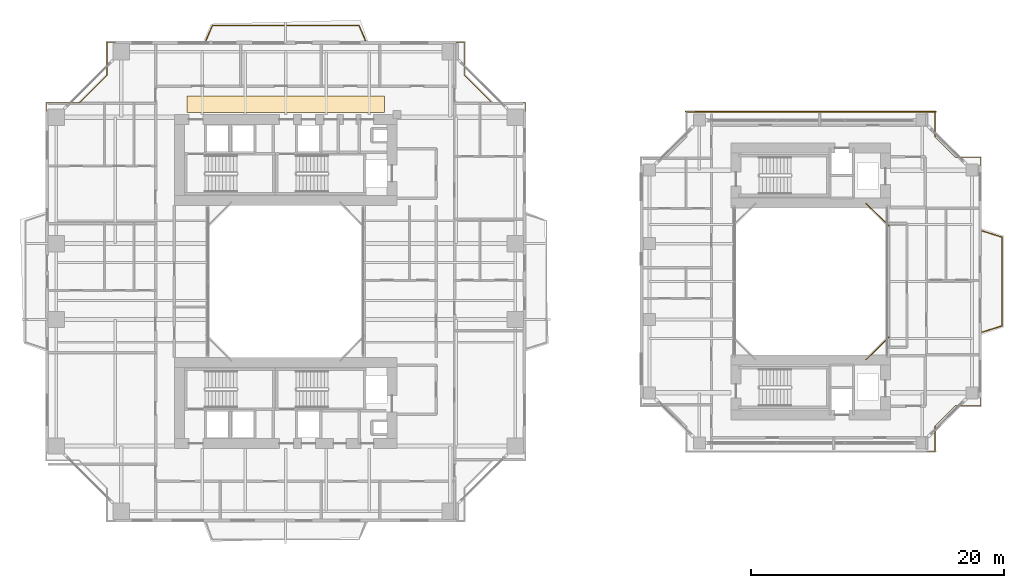
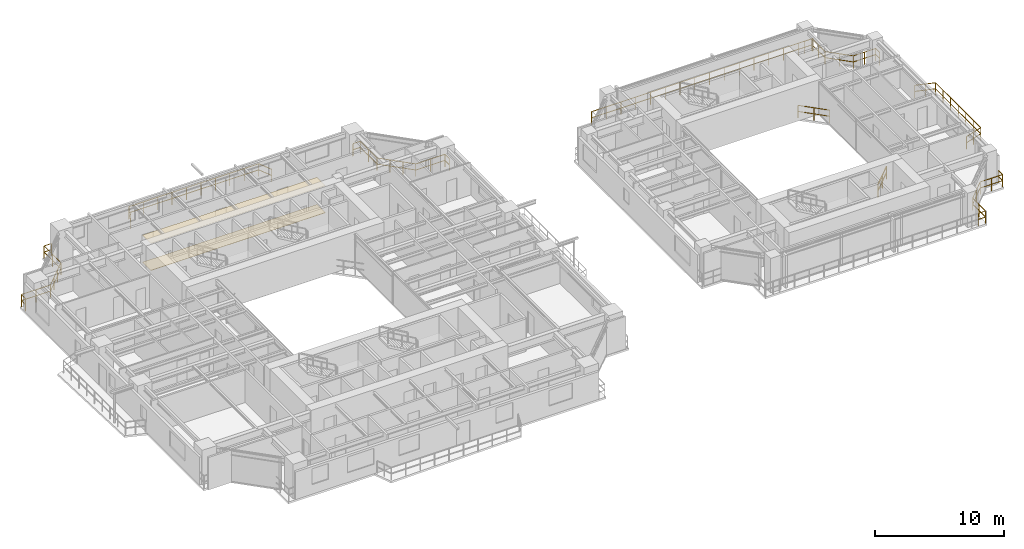
# One storey, part 23 of 23: 9 railings, 2 coverings.
"""IFC4 building model written with IfcOpenShell, lengths in metres."""

import ifcopenshell
import ifcopenshell.guid

model = None  # the IFC model being written
_history = None  # IfcOwnerHistory: only IFC2X3 demands one
_inside = {}  # id of a spatial element -> (the spatial element, [elements in it])
_under = {}  # id of a project, library or spatial element -> (it, [spatial elements below it])
_declared = {}  # id of a project -> (the project, [libraries it declares])
_typed = {}  # id of a type object -> (the type object, [elements of that type])
_made_of = {}  # id of a material, layer set ... -> (it, [elements and type objects made of it])


def new_model(schema):
    """Start an empty IFC model of exactly this schema.

    Asked for "IFC4X3", IfcOpenShell would pick the latest addendum, in which some entities
    have other attributes; the version numbers below select the first issue.
    IFC2X3 requires an IfcOwnerHistory on every rooted entity: one is made here for all.
    """
    global model, _history
    if schema == "IFC4X3":
        model = ifcopenshell.file(schema_version=(4, 3, 0, 0))
    else:
        model = ifcopenshell.file(schema=schema)
    _inside.clear()
    _under.clear()
    _declared.clear()
    _typed.clear()
    _made_of.clear()
    _history = None
    if model.schema == "IFC2X3":
        org = make("IfcOrganization", Name="unknown")
        user = make(
            "IfcPersonAndOrganization",
            ThePerson=make("IfcPerson", FamilyName="unknown"),
            TheOrganization=org,
        )
        app = make(
            "IfcApplication",
            ApplicationDeveloper=org,
            Version="unknown",
            ApplicationFullName="unknown",
            ApplicationIdentifier="unknown",
        )
        _history = make(
            "IfcOwnerHistory",
            OwningUser=user,
            OwningApplication=app,
            ChangeAction="ADDED",
            CreationDate=0,
        )
    return model


def make(cls, **values):
    """One entity of the class cls with the attributes given. An attribute that is None is left unset."""
    return model.create_entity(
        cls, **{name: value for name, value in values.items() if value is not None}
    )


def rooted(cls, **values):
    """An entity with a GlobalId (a new one), such as an element, a storey or a relation."""
    return make(cls, GlobalId=ifcopenshell.guid.new(), OwnerHistory=_history, **values)


def si_unit(unit_type, name, prefix=None):
    """IfcSIUnit, for example si_unit("LENGTHUNIT", "METRE", prefix="MILLI")."""
    return make("IfcSIUnit", UnitType=unit_type, Prefix=prefix, Name=name)


def assignment(units):
    """IfcUnitAssignment: the units of a project."""
    return None if units is None else make("IfcUnitAssignment", Units=units)


def point(xyz):
    """IfcCartesianPoint."""
    return None if xyz is None else make("IfcCartesianPoint", Coordinates=xyz)


def direction(xyz):
    """IfcDirection."""
    return None if xyz is None else make("IfcDirection", DirectionRatios=xyz)


def frame(location, z_axis=None, x_axis=None):
    """IfcAxis2Placement3D, a coordinate frame: its origin and axes. An axis left out is left unset."""
    return make(
        "IfcAxis2Placement3D",
        Location=point(location),
        Axis=direction(z_axis),
        RefDirection=direction(x_axis),
    )


def frame_2d(location, x_axis=None):
    """IfcAxis2Placement2D, a coordinate frame in the plane: its origin and x axis."""
    return make(
        "IfcAxis2Placement2D", Location=point(location), RefDirection=direction(x_axis)
    )


def origin():
    """The frame at (0, 0, 0) with its axes left unset."""
    return frame((0.0, 0.0, 0.0))


def origin_2d():
    """The frame at (0, 0) in the plane with its x axis left unset."""
    return frame_2d((0.0, 0.0))


def place(relative_to, where):
    """IfcLocalPlacement: puts the frame where relative to a parent placement (None: the world)."""
    return make(
        "IfcLocalPlacement", PlacementRelTo=relative_to, RelativePlacement=where
    )


def context(
    kind, dimensions, precision=None, world=None, true_north=None, identifier=None
):
    """IfcGeometricRepresentationContext, for example the 3D "Model" context."""
    return make(
        "IfcGeometricRepresentationContext",
        ContextIdentifier=identifier,
        ContextType=kind,
        CoordinateSpaceDimension=dimensions,
        Precision=precision,
        WorldCoordinateSystem=world,
        TrueNorth=true_north,
    )


def subcontext(parent, identifier, kind, view, scale=None):
    """IfcGeometricRepresentationSubContext, for example "Body" below "Model"."""
    return make(
        "IfcGeometricRepresentationSubContext",
        ContextIdentifier=identifier,
        ContextType=kind,
        ParentContext=parent,
        TargetScale=scale,
        TargetView=view,
    )


def project(units=None, contexts=None):
    """IfcProject with its units and contexts."""
    return rooted(
        "IfcProject",
        Name="project",
        RepresentationContexts=contexts,
        UnitsInContext=assignment(units),
    )


def spatial(cls, under=None, at=None, **own):
    """A site, building, storey or space (cls), placed at a placement, below another one or the project."""
    s = rooted(cls, ObjectPlacement=at, **own)
    if under is not None:
        _under.setdefault(under.id(), (under, []))[1].append(s)
    return s


def polyline(points):
    """IfcPolyline through the points."""
    return make("IfcPolyline", Points=[point(p) for p in points])


def profile(cls, at=None, kind="AREA", **sizes):
    """A parametric profile (cls). Its sizes go by their IFC names, for example OverallWidth=200.0."""
    return make(cls, ProfileType=kind, Position=at, **sizes)


def rectangle(**sizes):
    """IfcRectangleProfileDef."""
    return profile("IfcRectangleProfileDef", **sizes)


def outline(outer, holes=None, kind="AREA"):
    """IfcArbitraryClosedProfileDef: a profile drawn as a closed curve; with holes, ...WithVoids."""
    if holes is None:
        return make("IfcArbitraryClosedProfileDef", ProfileType=kind, OuterCurve=outer)
    return make(
        "IfcArbitraryProfileDefWithVoids",
        ProfileType=kind,
        OuterCurve=outer,
        InnerCurves=holes,
    )


def extrude(swept, where, along, depth):
    """IfcExtrudedAreaSolid: the profile swept, set in the frame where, extruded along a direction by depth."""
    return make(
        "IfcExtrudedAreaSolid",
        SweptArea=swept,
        Position=where,
        ExtrudedDirection=direction(along),
        Depth=depth,
    )


def shape(context_of_items, identifier, shape_type, items):
    """IfcShapeRepresentation: the items that make up one representation, for example the "Body"."""
    return make(
        "IfcShapeRepresentation",
        ContextOfItems=context_of_items,
        RepresentationIdentifier=identifier,
        RepresentationType=shape_type,
        Items=items,
    )


def material(Name=None, Category=None):
    """IfcMaterial."""
    return make("IfcMaterial", Name=Name, Category=Category)


def layer(
    of_material, thickness, ventilated=None, Name=None, Category=None, Priority=None
):
    """IfcMaterialLayer: one layer of a wall or slab, of a material (None: an air gap)."""
    return make(
        "IfcMaterialLayer",
        Material=of_material,
        LayerThickness=thickness,
        IsVentilated=ventilated,
        Name=Name,
        Category=Category,
        Priority=Priority,
    )


def layer_set(layers, Name=None):
    """IfcMaterialLayerSet."""
    return make("IfcMaterialLayerSet", MaterialLayers=layers, LayerSetName=Name)


def made_of(thing, what):
    """Note that an element or type object is made of a material, layer set ...; save() writes the relation."""
    if what is not None:
        _made_of.setdefault(what.id(), (what, []))[1].append(thing)
    return thing


def type_object(cls, material=None, **own):
    """A type object (cls), such as IfcWallType, which elements share."""
    return made_of(rooted(cls, **own), material)


def element(
    cls,
    number,
    at=None,
    inside=None,
    cuts=None,
    type_object=None,
    material=None,
    context=None,
    identifier="Body",
    shape_type=None,
    held_by="IfcProductDefinitionShape",
    body=None,
    shapes=None,
    **own,
):
    """One element of the class cls, such as IfcWall. Its Tag is "e" and its number.

    at: its placement. inside: the storey or other place that contains it. cuts: it is an
    opening in that element (IfcRelVoidsElement). A single representation is given by context,
    identifier, shape_type and body (its items); several are given by shapes. held_by: the class
    of the entity that holds the representations. save() writes the other relations.
    """
    e = rooted(cls, Tag="e%d" % number, ObjectPlacement=at, **own)
    if body is not None:
        shapes = [shape(context, identifier, shape_type, body)]
    if shapes is not None:
        e.Representation = make(held_by, Representations=shapes)
    if inside is not None:
        _inside.setdefault(inside.id(), (inside, []))[1].append(e)
    if cuts is not None:
        rooted(
            "IfcRelVoidsElement", RelatingBuildingElement=cuts, RelatedOpeningElement=e
        )
    if type_object is not None:
        _typed.setdefault(type_object.id(), (type_object, []))[1].append(e)
    return made_of(e, material)


def aggregate(whole, parts):
    """IfcRelAggregates: a whole, such as a stair, and the parts it consists of."""
    return rooted("IfcRelAggregates", RelatingObject=whole, RelatedObjects=parts)


def save(model, path):
    """Write the relations noted so far, then the file.

    IfcRelAggregates (storeys below a building ...), IfcRelContainedInSpatialStructure (elements
    in a storey), IfcRelDefinesByType, IfcRelAssociatesMaterial and IfcRelDeclares: one each for
    every whole, place, type object, material and project.
    """
    for whole, parts in _under.values():
        aggregate(whole, parts)
    for where, things in _inside.values():
        rooted(
            "IfcRelContainedInSpatialStructure",
            RelatedElements=things,
            RelatingStructure=where,
        )
    for kind, things in _typed.values():
        rooted("IfcRelDefinesByType", RelatedObjects=things, RelatingType=kind)
    for what, things in _made_of.values():
        rooted("IfcRelAssociatesMaterial", RelatedObjects=things, RelatingMaterial=what)
    for by, libraries in _declared.values():
        rooted("IfcRelDeclares", RelatingContext=by, RelatedDefinitions=libraries)
    model.write(path)


model = new_model("IFC4")

# Units and contexts
model_context = context("Model", 3, precision=1e-05, world=origin(), true_north=direction((0.0, 1.0)))
body_context = subcontext(model_context, "Body", "Model", "MODEL_VIEW")
ifc_project = project(units=[si_unit("LENGTHUNIT", "METRE"), si_unit("AREAUNIT", "SQUARE_METRE"), si_unit("VOLUMEUNIT", "CUBIC_METRE"), si_unit("PLANEANGLEUNIT", "RADIAN"), si_unit("MASSUNIT", "GRAM", prefix="KILO"), si_unit("THERMODYNAMICTEMPERATUREUNIT", "KELVIN"), si_unit("POWERUNIT", "WATT")], contexts=[model_context])

# Site, building, storey
site_placement = place(None, origin())
site = spatial("IfcSite", under=ifc_project, at=site_placement, CompositionType="ELEMENT")
building_placement = place(site_placement, origin())
building = spatial("IfcBuilding", under=site, at=building_placement, Name="Qiaomeng Ring Towers", CompositionType="ELEMENT")
storey_placement = place(building_placement, frame((0.0, 0.0, 39.25)))
storey = spatial("IfcBuildingStorey", under=building, at=storey_placement, Name="L10", CompositionType="ELEMENT", Elevation=39.25)

# Coverings
ifc_material_1 = material(Name="Mineral fibre acoustic ceiling tile", Category="gypsum")
ifc_layer_1 = layer(ifc_material_1, 0.02490234375, Name="Mineral fibre acoustic ceiling tile")
ifc_layer_set_1 = layer_set([ifc_layer_1], Name="Mineral fibre acoustic ceiling tile")
covering_type_1 = type_object("IfcCoveringType", Name="ARC-COV-CEIL1", PredefinedType="CEILING", material=ifc_layer_set_1)
covering_1_placement = place(storey_placement, frame((0.0, 0.0, 2.550048828125)))
element("IfcCovering", 1, at=covering_1_placement, inside=storey, type_object=covering_type_1, Name="L10 Corridor Acoustic Ceiling", PredefinedType="CEILING", context=body_context, shape_type="SweptSolid", body=[
    extrude(outline(polyline([(11.199951171875, 36.35009765625), (11.199951171875, 37.64990234375), (26.800048828125, 37.64990234375), (26.800048828125, 36.35009765625), (11.199951171875, 36.35009765625)])), origin(), (0.0, 0.0, 1.0), 0.02490234375),
])
ifc_material_2 = material(Name="Vitrified porcelain floor tile", Category="ceramic")
ifc_layer_2 = layer(ifc_material_2, 0.02001953125, Name="Vitrified porcelain floor tile")
ifc_layer_set_2 = layer_set([ifc_layer_2], Name="Vitrified porcelain floor tile")
covering_type_2 = type_object("IfcCoveringType", Name="ARC-COV-FLR1", PredefinedType="FLOORING", material=ifc_layer_set_2)
covering_2_placement = place(storey_placement, origin())
element("IfcCovering", 2, at=covering_2_placement, inside=storey, type_object=covering_type_2, Name="L10 Corridor Stone Flooring", PredefinedType="FLOORING", context=body_context, shape_type="SweptSolid", body=[
    extrude(outline(polyline([(11.199951171875, 36.35009765625), (11.199951171875, 37.64990234375), (26.800048828125, 37.64990234375), (26.800048828125, 36.35009765625), (11.199951171875, 36.35009765625)])), origin(), (0.0, 0.0, 1.0), 0.02001953125),
])

# Railings
ifc_material_3 = material(Name="Low-E pale-green laminated safety glass", Category="glass")
railing_type = type_object("IfcRailingType", Name="ARC-RL-BAL1", PredefinedType="BALUSTRADE", material=ifc_material_3)
railing_1_placement = place(storey_placement, frame((37.919921875, 36.469970703125, 0.0)))
element("IfcRailing", 3, at=railing_1_placement, inside=storey, type_object=railing_type, Name="L10 Balustrade ARC-BAL-NOTCH1-L10-NE", PredefinedType="BALUSTRADE", context=body_context, shape_type="SweptSolid", body=[
    extrude(rectangle(XDim=0.048095703125, YDim=0.048095703125, at=origin_2d()), frame((0.0, 0.0, 1.17578125), z_axis=(0.0, 1.0, 0.0), x_axis=(-1.0, 0.0, 0.0)), (0.0, 0.0, 1.0), 0.650146484375),
    extrude(rectangle(XDim=0.048095703125, YDim=0.048095703125, at=origin_2d()), frame((0.0, 0.0, 0.60009765625), z_axis=(0.0, 1.0, 0.0), x_axis=(-1.0, 0.0, 0.0)), (0.0, 0.0, 1.0), 0.650146484375),
    extrude(rectangle(XDim=0.048095703125, YDim=0.048095703125, at=origin_2d()), frame((0.0, 0.650146484375, 1.17578125), z_axis=(-1.0, 0.0, 0.0), x_axis=(0.0, -1.0, 0.0)), (0.0, 0.0, 1.0), 2.599853515625),
    extrude(rectangle(XDim=0.048095703125, YDim=0.048095703125, at=origin_2d()), frame((0.0, 0.650146484375, 0.60009765625), z_axis=(-1.0, 0.0, 0.0), x_axis=(0.0, -1.0, 0.0)), (0.0, 0.0, 1.0), 2.599853515625),
    extrude(rectangle(XDim=0.048095703125, YDim=0.048095703125, at=origin_2d()), frame((-2.599853515625, 0.650146484375, 1.17578125), z_axis=(-0.707106781187, 0.707106781187, 0.0), x_axis=(-0.707106781187, -0.707106781187, 0.0)), (0.0, 0.0, 1.0), 3.111083984375),
    extrude(rectangle(XDim=0.048095703125, YDim=0.048095703125, at=origin_2d()), frame((-2.599853515625, 0.650146484375, 0.60009765625), z_axis=(-0.707106781187, 0.707106781187, 0.0), x_axis=(-0.707106781187, -0.707106781187, 0.0)), (0.0, 0.0, 1.0), 3.111083984375),
    extrude(rectangle(XDim=0.048095703125, YDim=0.048095703125, at=origin_2d()), frame((-4.7998046875, 2.85009765625, 1.17578125), z_axis=(0.0, 1.0, 0.0), x_axis=(-1.0, 0.0, 0.0)), (0.0, 0.0, 1.0), 2.599853515625),
    extrude(rectangle(XDim=0.048095703125, YDim=0.048095703125, at=origin_2d()), frame((-4.7998046875, 2.85009765625, 0.60009765625), z_axis=(0.0, 1.0, 0.0), x_axis=(-1.0, 0.0, 0.0)), (0.0, 0.0, 1.0), 2.599853515625),
    extrude(rectangle(XDim=0.048095703125, YDim=0.048095703125, at=origin_2d()), frame((-4.7998046875, 5.449951171875, 1.17578125), z_axis=(-1.0, 0.0, 0.0), x_axis=(0.0, -1.0, 0.0)), (0.0, 0.0, 1.0), 0.650146484375),
    extrude(rectangle(XDim=0.048095703125, YDim=0.048095703125, at=origin_2d()), frame((-4.7998046875, 5.449951171875, 0.60009765625), z_axis=(-1.0, 0.0, 0.0), x_axis=(0.0, -1.0, 0.0)), (0.0, 0.0, 1.0), 0.650146484375),
    extrude(rectangle(XDim=0.0419921875, YDim=0.0419921875, at=origin_2d()), origin(), (0.0, 0.0, 1.0), 1.15185546875),
    extrude(rectangle(XDim=0.0419921875, YDim=0.0419921875, at=origin_2d()), frame((0.0, 0.650146484375, 0.0)), (0.0, 0.0, 1.0), 1.15185546875),
    extrude(rectangle(XDim=0.0419921875, YDim=0.0419921875, at=origin_2d()), frame((-1.2998046875, 0.650146484375, 0.0)), (0.0, 0.0, 1.0), 1.15185546875),
    extrude(rectangle(XDim=0.0419921875, YDim=0.0419921875, at=origin_2d()), frame((-2.599853515625, 0.650146484375, 0.0)), (0.0, 0.0, 1.0), 1.15185546875),
    extrude(rectangle(XDim=0.0419921875, YDim=0.0419921875, at=origin_2d()), frame((-3.333251953125, 1.383544921875, 0.0)), (0.0, 0.0, 1.0), 1.15185546875),
    extrude(rectangle(XDim=0.0419921875, YDim=0.0419921875, at=origin_2d()), frame((-4.06640625, 2.11669921875, 0.0)), (0.0, 0.0, 1.0), 1.15185546875),
    extrude(rectangle(XDim=0.0419921875, YDim=0.0419921875, at=origin_2d()), frame((-4.7998046875, 2.85009765625, 0.0)), (0.0, 0.0, 1.0), 1.15185546875),
    extrude(rectangle(XDim=0.0419921875, YDim=0.0419921875, at=origin_2d()), frame((-4.7998046875, 4.14990234375, 0.0)), (0.0, 0.0, 1.0), 1.15185546875),
    extrude(rectangle(XDim=0.0419921875, YDim=0.0419921875, at=origin_2d()), frame((-4.7998046875, 5.449951171875, 0.0)), (0.0, 0.0, 1.0), 1.15185546875),
    extrude(rectangle(XDim=0.0419921875, YDim=0.0419921875, at=origin_2d()), frame((-5.449951171875, 5.449951171875, 0.0)), (0.0, 0.0, 1.0), 1.15185546875),
])
railing_2_placement = place(storey_placement, frame((5.530029296875, 41.919921875, 0.0)))
element("IfcRailing", 4, at=railing_2_placement, inside=storey, type_object=railing_type, Name="L10 Balustrade ARC-BAL-NOTCH1-L10-NW", PredefinedType="BALUSTRADE", context=body_context, shape_type="SweptSolid", body=[
    extrude(rectangle(XDim=0.048095703125, YDim=0.048095703125, at=origin_2d()), frame((0.0, 0.0, 1.17578125), z_axis=(-1.0, 0.0, 0.0), x_axis=(0.0, -1.0, 0.0)), (0.0, 0.0, 1.0), 0.650146484375),
    extrude(rectangle(XDim=0.048095703125, YDim=0.048095703125, at=origin_2d()), frame((0.0, 0.0, 0.60009765625), z_axis=(-1.0, 0.0, 0.0), x_axis=(0.0, -1.0, 0.0)), (0.0, 0.0, 1.0), 0.650146484375),
    extrude(rectangle(XDim=0.048095703125, YDim=0.048095703125, at=origin_2d()), frame((-0.650146484375, 0.0, 1.17578125), z_axis=(0.0, -1.0, 0.0), x_axis=(1.0, 0.0, 0.0)), (0.0, 0.0, 1.0), 2.599853515625),
    extrude(rectangle(XDim=0.048095703125, YDim=0.048095703125, at=origin_2d()), frame((-0.650146484375, 0.0, 0.60009765625), z_axis=(0.0, -1.0, 0.0), x_axis=(1.0, 0.0, 0.0)), (0.0, 0.0, 1.0), 2.599853515625),
    extrude(rectangle(XDim=0.048095703125, YDim=0.048095703125, at=origin_2d()), frame((-0.650146484375, -2.599853515625, 1.17578125), z_axis=(-0.707106781187, -0.707106781187, 0.0), x_axis=(0.707106781187, -0.707106781187, 0.0)), (0.0, 0.0, 1.0), 3.111083984375),
    extrude(rectangle(XDim=0.048095703125, YDim=0.048095703125, at=origin_2d()), frame((-0.650146484375, -2.599853515625, 0.60009765625), z_axis=(-0.707106781187, -0.707106781187, 0.0), x_axis=(0.707106781187, -0.707106781187, 0.0)), (0.0, 0.0, 1.0), 3.111083984375),
    extrude(rectangle(XDim=0.048095703125, YDim=0.048095703125, at=origin_2d()), frame((-2.85009765625, -4.7998046875, 1.17578125), z_axis=(-1.0, 0.0, 0.0), x_axis=(0.0, -1.0, 0.0)), (0.0, 0.0, 1.0), 2.599853515625),
    extrude(rectangle(XDim=0.048095703125, YDim=0.048095703125, at=origin_2d()), frame((-2.85009765625, -4.7998046875, 0.60009765625), z_axis=(-1.0, 0.0, 0.0), x_axis=(0.0, -1.0, 0.0)), (0.0, 0.0, 1.0), 2.599853515625),
    extrude(rectangle(XDim=0.048095703125, YDim=0.048095703125, at=origin_2d()), frame((-5.449951171875, -4.7998046875, 1.17578125), z_axis=(0.0, -1.0, 0.0), x_axis=(1.0, 0.0, 0.0)), (0.0, 0.0, 1.0), 0.650146484375),
    extrude(rectangle(XDim=0.048095703125, YDim=0.048095703125, at=origin_2d()), frame((-5.449951171875, -4.7998046875, 0.60009765625), z_axis=(0.0, -1.0, 0.0), x_axis=(1.0, 0.0, 0.0)), (0.0, 0.0, 1.0), 0.650146484375),
    extrude(rectangle(XDim=0.0419921875, YDim=0.0419921875, at=origin_2d()), origin(), (0.0, 0.0, 1.0), 1.15185546875),
    extrude(rectangle(XDim=0.0419921875, YDim=0.0419921875, at=origin_2d()), frame((-0.650146484375, 0.0, 0.0)), (0.0, 0.0, 1.0), 1.15185546875),
    extrude(rectangle(XDim=0.0419921875, YDim=0.0419921875, at=origin_2d()), frame((-0.650146484375, -1.2998046875, 0.0)), (0.0, 0.0, 1.0), 1.15185546875),
    extrude(rectangle(XDim=0.0419921875, YDim=0.0419921875, at=origin_2d()), frame((-0.650146484375, -2.599853515625, 0.0)), (0.0, 0.0, 1.0), 1.15185546875),
    extrude(rectangle(XDim=0.0419921875, YDim=0.0419921875, at=origin_2d()), frame((-1.383544921875, -3.333251953125, 0.0)), (0.0, 0.0, 1.0), 1.15185546875),
    extrude(rectangle(XDim=0.0419921875, YDim=0.0419921875, at=origin_2d()), frame((-2.11669921875, -4.06640625, 0.0)), (0.0, 0.0, 1.0), 1.15185546875),
    extrude(rectangle(XDim=0.0419921875, YDim=0.0419921875, at=origin_2d()), frame((-2.85009765625, -4.7998046875, 0.0)), (0.0, 0.0, 1.0), 1.15185546875),
    extrude(rectangle(XDim=0.0419921875, YDim=0.0419921875, at=origin_2d()), frame((-4.14990234375, -4.7998046875, 0.0)), (0.0, 0.0, 1.0), 1.15185546875),
    extrude(rectangle(XDim=0.0419921875, YDim=0.0419921875, at=origin_2d()), frame((-5.449951171875, -4.7998046875, 0.0)), (0.0, 0.0, 1.0), 1.15185546875),
    extrude(rectangle(XDim=0.0419921875, YDim=0.0419921875, at=origin_2d()), frame((-5.449951171875, -5.449951171875, 0.0)), (0.0, 0.0, 1.0), 1.15185546875),
])
railing_3_placement = place(storey_placement, frame((12.699951171875, 42.050048828125, 0.0)))
element("IfcRailing", 5, at=railing_3_placement, inside=storey, type_object=railing_type, Name="L10 Balustrade ARC-BAL-L10-T1-N", PredefinedType="BALUSTRADE", context=body_context, shape_type="SweptSolid", body=[
    extrude(rectangle(XDim=0.048095703125, YDim=0.048095703125, at=origin_2d()), frame((0.0, 0.0, 1.17578125), z_axis=(0.39299272826, 0.919541579014, 0.0), x_axis=(-0.919541579014, 0.39299272826, 0.0)), (0.0, 0.0, 1.0), 1.272216796875),
    extrude(rectangle(XDim=0.048095703125, YDim=0.048095703125, at=origin_2d()), frame((0.0, 0.0, 0.60009765625), z_axis=(0.39299272826, 0.919541579014, 0.0), x_axis=(-0.919541579014, 0.39299272826, 0.0)), (0.0, 0.0, 1.0), 1.272216796875),
    extrude(rectangle(XDim=0.048095703125, YDim=0.048095703125, at=origin_2d()), frame((0.5, 1.169921875, 1.17578125), z_axis=(1.0, 0.0, 0.0), x_axis=(0.0, 1.0, 0.0)), (0.0, 0.0, 1.0), 11.60009765625),
    extrude(rectangle(XDim=0.048095703125, YDim=0.048095703125, at=origin_2d()), frame((0.5, 1.169921875, 0.60009765625), z_axis=(1.0, 0.0, 0.0), x_axis=(0.0, 1.0, 0.0)), (0.0, 0.0, 1.0), 11.60009765625),
    extrude(rectangle(XDim=0.048095703125, YDim=0.048095703125, at=origin_2d()), frame((12.10009765625, 1.169921875, 1.17578125), z_axis=(0.39299272826, -0.919541579014, 0.0), x_axis=(0.919541579014, 0.39299272826, 0.0)), (0.0, 0.0, 1.0), 1.272216796875),
    extrude(rectangle(XDim=0.048095703125, YDim=0.048095703125, at=origin_2d()), frame((12.10009765625, 1.169921875, 0.60009765625), z_axis=(0.39299272826, -0.919541579014, 0.0), x_axis=(0.919541579014, 0.39299272826, 0.0)), (0.0, 0.0, 1.0), 1.272216796875),
    extrude(rectangle(XDim=0.0419921875, YDim=0.0419921875, at=origin_2d()), origin(), (0.0, 0.0, 1.0), 1.15185546875),
    extrude(rectangle(XDim=0.0419921875, YDim=0.0419921875, at=origin_2d()), frame((0.5, 1.169921875, 0.0)), (0.0, 0.0, 1.0), 1.15185546875),
    extrude(rectangle(XDim=0.0419921875, YDim=0.0419921875, at=origin_2d()), frame((1.788818359375, 1.169921875, 0.0)), (0.0, 0.0, 1.0), 1.15185546875),
    extrude(rectangle(XDim=0.0419921875, YDim=0.0419921875, at=origin_2d()), frame((3.077880859375, 1.169921875, 0.0)), (0.0, 0.0, 1.0), 1.15185546875),
    extrude(rectangle(XDim=0.0419921875, YDim=0.0419921875, at=origin_2d()), frame((4.36669921875, 1.169921875, 0.0)), (0.0, 0.0, 1.0), 1.15185546875),
    extrude(rectangle(XDim=0.0419921875, YDim=0.0419921875, at=origin_2d()), frame((5.655517578125, 1.169921875, 0.0)), (0.0, 0.0, 1.0), 1.15185546875),
    extrude(rectangle(XDim=0.0419921875, YDim=0.0419921875, at=origin_2d()), frame((6.944580078125, 1.169921875, 0.0)), (0.0, 0.0, 1.0), 1.15185546875),
    extrude(rectangle(XDim=0.0419921875, YDim=0.0419921875, at=origin_2d()), frame((8.2333984375, 1.169921875, 0.0)), (0.0, 0.0, 1.0), 1.15185546875),
    extrude(rectangle(XDim=0.0419921875, YDim=0.0419921875, at=origin_2d()), frame((9.522216796875, 1.169921875, 0.0)), (0.0, 0.0, 1.0), 1.15185546875),
    extrude(rectangle(XDim=0.0419921875, YDim=0.0419921875, at=origin_2d()), frame((10.811279296875, 1.169921875, 0.0)), (0.0, 0.0, 1.0), 1.15185546875),
    extrude(rectangle(XDim=0.0419921875, YDim=0.0419921875, at=origin_2d()), frame((12.10009765625, 1.169921875, 0.0)), (0.0, 0.0, 1.0), 1.15185546875),
    extrude(rectangle(XDim=0.0419921875, YDim=0.0419921875, at=origin_2d()), frame((12.60009765625, 0.0, 0.0)), (0.0, 0.0, 1.0), 1.15185546875),
])
railing_4_placement = place(storey_placement, frame((64.8798828125, 16.820068359375, 0.0)))
element("IfcRailing", 6, at=railing_4_placement, inside=storey, type_object=railing_type, Name="L10 Balustrade ARC-BAL-WELL2-L10-1", PredefinedType="BALUSTRADE", context=body_context, shape_type="SweptSolid", body=[
    extrude(rectangle(XDim=0.048095703125, YDim=0.048095703125, at=origin_2d()), frame((0.0, 0.0, 1.17578125), z_axis=(0.707106781187, 0.707106781187, 0.0), x_axis=(-0.707106781187, 0.707106781187, 0.0)), (0.0, 0.0, 1.0), 2.545654296875),
    extrude(rectangle(XDim=0.048095703125, YDim=0.048095703125, at=origin_2d()), frame((0.0, 0.0, 0.60009765625), z_axis=(0.707106781187, 0.707106781187, 0.0), x_axis=(-0.707106781187, 0.707106781187, 0.0)), (0.0, 0.0, 1.0), 2.545654296875),
    extrude(rectangle(XDim=0.0419921875, YDim=0.0419921875, at=origin_2d()), origin(), (0.0, 0.0, 1.0), 1.15185546875),
    extrude(rectangle(XDim=0.0419921875, YDim=0.0419921875, at=origin_2d()), frame((0.89990234375, 0.89990234375, 0.0)), (0.0, 0.0, 1.0), 1.15185546875),
    extrude(rectangle(XDim=0.0419921875, YDim=0.0419921875, at=origin_2d()), frame((1.800048828125, 1.800048828125, 0.0)), (0.0, 0.0, 1.0), 1.15185546875),
])
railing_5_placement = place(storey_placement, frame((66.679931640625, 27.3798828125, 0.0)))
element("IfcRailing", 7, at=railing_5_placement, inside=storey, type_object=railing_type, Name="L10 Balustrade ARC-BAL-WELL2-L10-2", PredefinedType="BALUSTRADE", context=body_context, shape_type="SweptSolid", body=[
    extrude(rectangle(XDim=0.048095703125, YDim=0.048095703125, at=origin_2d()), frame((0.0, 0.0, 1.17578125), z_axis=(-0.707106781187, 0.707106781187, 0.0), x_axis=(-0.707106781187, -0.707106781187, 0.0)), (0.0, 0.0, 1.0), 2.545654296875),
    extrude(rectangle(XDim=0.048095703125, YDim=0.048095703125, at=origin_2d()), frame((0.0, 0.0, 0.60009765625), z_axis=(-0.707106781187, 0.707106781187, 0.0), x_axis=(-0.707106781187, -0.707106781187, 0.0)), (0.0, 0.0, 1.0), 2.545654296875),
    extrude(rectangle(XDim=0.0419921875, YDim=0.0419921875, at=origin_2d()), origin(), (0.0, 0.0, 1.0), 1.15185546875),
    extrude(rectangle(XDim=0.0419921875, YDim=0.0419921875, at=origin_2d()), frame((-0.89990234375, 0.89990234375, 0.0)), (0.0, 0.0, 1.0), 1.15185546875),
    extrude(rectangle(XDim=0.0419921875, YDim=0.0419921875, at=origin_2d()), frame((-1.800048828125, 1.800048828125, 0.0)), (0.0, 0.0, 1.0), 1.15185546875),
])
railing_6_placement = place(storey_placement, frame((69.669921875, 9.580078125, 0.0)))
element("IfcRailing", 8, at=railing_6_placement, inside=storey, type_object=railing_type, Name="L10 Balustrade ARC-BAL-NOTCH2-L10-SE", PredefinedType="BALUSTRADE", context=body_context, shape_type="SweptSolid", body=[
    extrude(rectangle(XDim=0.048095703125, YDim=0.048095703125, at=origin_2d()), frame((0.0, 0.0, 1.17578125), z_axis=(1.0, 0.0, 0.0), x_axis=(0.0, 1.0, 0.0)), (0.0, 0.0, 1.0), 0.650146484375),
    extrude(rectangle(XDim=0.048095703125, YDim=0.048095703125, at=origin_2d()), frame((0.0, 0.0, 0.60009765625), z_axis=(1.0, 0.0, 0.0), x_axis=(0.0, 1.0, 0.0)), (0.0, 0.0, 1.0), 0.650146484375),
    extrude(rectangle(XDim=0.048095703125, YDim=0.048095703125, at=origin_2d()), frame((0.650146484375, 0.0, 1.17578125), z_axis=(0.0, 1.0, 0.0), x_axis=(-1.0, 0.0, 0.0)), (0.0, 0.0, 1.0), 2.0),
    extrude(rectangle(XDim=0.048095703125, YDim=0.048095703125, at=origin_2d()), frame((0.650146484375, 0.0, 0.60009765625), z_axis=(0.0, 1.0, 0.0), x_axis=(-1.0, 0.0, 0.0)), (0.0, 0.0, 1.0), 2.0),
    extrude(rectangle(XDim=0.048095703125, YDim=0.048095703125, at=origin_2d()), frame((0.650146484375, 2.0, 1.17578125), z_axis=(0.707106781187, 0.707106781187, 0.0), x_axis=(-0.707106781187, 0.707106781187, 0.0)), (0.0, 0.0, 1.0), 2.262451171875),
    extrude(rectangle(XDim=0.048095703125, YDim=0.048095703125, at=origin_2d()), frame((0.650146484375, 2.0, 0.60009765625), z_axis=(0.707106781187, 0.707106781187, 0.0), x_axis=(-0.707106781187, 0.707106781187, 0.0)), (0.0, 0.0, 1.0), 2.262451171875),
    extrude(rectangle(XDim=0.048095703125, YDim=0.048095703125, at=origin_2d()), frame((2.25, 3.599853515625, 1.17578125), z_axis=(1.0, 0.0, 0.0), x_axis=(0.0, 1.0, 0.0)), (0.0, 0.0, 1.0), 2.0),
    extrude(rectangle(XDim=0.048095703125, YDim=0.048095703125, at=origin_2d()), frame((2.25, 3.599853515625, 0.60009765625), z_axis=(1.0, 0.0, 0.0), x_axis=(0.0, 1.0, 0.0)), (0.0, 0.0, 1.0), 2.0),
    extrude(rectangle(XDim=0.048095703125, YDim=0.048095703125, at=origin_2d()), frame((4.25, 3.599853515625, 1.17578125), z_axis=(0.0, 1.0, 0.0), x_axis=(-1.0, 0.0, 0.0)), (0.0, 0.0, 1.0), 0.650146484375),
    extrude(rectangle(XDim=0.048095703125, YDim=0.048095703125, at=origin_2d()), frame((4.25, 3.599853515625, 0.60009765625), z_axis=(0.0, 1.0, 0.0), x_axis=(-1.0, 0.0, 0.0)), (0.0, 0.0, 1.0), 0.650146484375),
    extrude(rectangle(XDim=0.0419921875, YDim=0.0419921875, at=origin_2d()), origin(), (0.0, 0.0, 1.0), 1.15185546875),
    extrude(rectangle(XDim=0.0419921875, YDim=0.0419921875, at=origin_2d()), frame((0.650146484375, 0.0, 0.0)), (0.0, 0.0, 1.0), 1.15185546875),
    extrude(rectangle(XDim=0.0419921875, YDim=0.0419921875, at=origin_2d()), frame((0.650146484375, 1.0, 0.0)), (0.0, 0.0, 1.0), 1.15185546875),
    extrude(rectangle(XDim=0.0419921875, YDim=0.0419921875, at=origin_2d()), frame((0.650146484375, 2.0, 0.0)), (0.0, 0.0, 1.0), 1.15185546875),
    extrude(rectangle(XDim=0.0419921875, YDim=0.0419921875, at=origin_2d()), frame((1.4501953125, 2.7998046875, 0.0)), (0.0, 0.0, 1.0), 1.15185546875),
    extrude(rectangle(XDim=0.0419921875, YDim=0.0419921875, at=origin_2d()), frame((2.25, 3.599853515625, 0.0)), (0.0, 0.0, 1.0), 1.15185546875),
    extrude(rectangle(XDim=0.0419921875, YDim=0.0419921875, at=origin_2d()), frame((3.25, 3.599853515625, 0.0)), (0.0, 0.0, 1.0), 1.15185546875),
    extrude(rectangle(XDim=0.0419921875, YDim=0.0419921875, at=origin_2d()), frame((4.25, 3.599853515625, 0.0)), (0.0, 0.0, 1.0), 1.15185546875),
    extrude(rectangle(XDim=0.0419921875, YDim=0.0419921875, at=origin_2d()), frame((4.25, 4.25, 0.0)), (0.0, 0.0, 1.0), 1.15185546875),
])
railing_7_placement = place(storey_placement, frame((73.919921875, 32.169921875, 0.0)))
element("IfcRailing", 9, at=railing_7_placement, inside=storey, type_object=railing_type, Name="L10 Balustrade ARC-BAL-NOTCH2-L10-NE", PredefinedType="BALUSTRADE", context=body_context, shape_type="SweptSolid", body=[
    extrude(rectangle(XDim=0.048095703125, YDim=0.048095703125, at=origin_2d()), frame((0.0, 0.0, 1.17578125), z_axis=(0.0, 1.0, 0.0), x_axis=(-1.0, 0.0, 0.0)), (0.0, 0.0, 1.0), 0.650146484375),
    extrude(rectangle(XDim=0.048095703125, YDim=0.048095703125, at=origin_2d()), frame((0.0, 0.0, 0.60009765625), z_axis=(0.0, 1.0, 0.0), x_axis=(-1.0, 0.0, 0.0)), (0.0, 0.0, 1.0), 0.650146484375),
    extrude(rectangle(XDim=0.048095703125, YDim=0.048095703125, at=origin_2d()), frame((0.0, 0.650146484375, 1.17578125), z_axis=(-1.0, 0.0, 0.0), x_axis=(0.0, -1.0, 0.0)), (0.0, 0.0, 1.0), 2.0),
    extrude(rectangle(XDim=0.048095703125, YDim=0.048095703125, at=origin_2d()), frame((0.0, 0.650146484375, 0.60009765625), z_axis=(-1.0, 0.0, 0.0), x_axis=(0.0, -1.0, 0.0)), (0.0, 0.0, 1.0), 2.0),
    extrude(rectangle(XDim=0.048095703125, YDim=0.048095703125, at=origin_2d()), frame((-2.0, 0.650146484375, 1.17578125), z_axis=(-0.707106781187, 0.707106781187, 0.0), x_axis=(-0.707106781187, -0.707106781187, 0.0)), (0.0, 0.0, 1.0), 2.262451171875),
    extrude(rectangle(XDim=0.048095703125, YDim=0.048095703125, at=origin_2d()), frame((-2.0, 0.650146484375, 0.60009765625), z_axis=(-0.707106781187, 0.707106781187, 0.0), x_axis=(-0.707106781187, -0.707106781187, 0.0)), (0.0, 0.0, 1.0), 2.262451171875),
    extrude(rectangle(XDim=0.048095703125, YDim=0.048095703125, at=origin_2d()), frame((-3.599853515625, 2.25, 1.17578125), z_axis=(0.0, 1.0, 0.0), x_axis=(-1.0, 0.0, 0.0)), (0.0, 0.0, 1.0), 2.0),
    extrude(rectangle(XDim=0.048095703125, YDim=0.048095703125, at=origin_2d()), frame((-3.599853515625, 2.25, 0.60009765625), z_axis=(0.0, 1.0, 0.0), x_axis=(-1.0, 0.0, 0.0)), (0.0, 0.0, 1.0), 2.0),
    extrude(rectangle(XDim=0.048095703125, YDim=0.048095703125, at=origin_2d()), frame((-3.599853515625, 4.25, 1.17578125), z_axis=(-1.0, 0.0, 0.0), x_axis=(0.0, -1.0, 0.0)), (0.0, 0.0, 1.0), 0.650146484375),
    extrude(rectangle(XDim=0.048095703125, YDim=0.048095703125, at=origin_2d()), frame((-3.599853515625, 4.25, 0.60009765625), z_axis=(-1.0, 0.0, 0.0), x_axis=(0.0, -1.0, 0.0)), (0.0, 0.0, 1.0), 0.650146484375),
    extrude(rectangle(XDim=0.0419921875, YDim=0.0419921875, at=origin_2d()), origin(), (0.0, 0.0, 1.0), 1.15185546875),
    extrude(rectangle(XDim=0.0419921875, YDim=0.0419921875, at=origin_2d()), frame((0.0, 0.650146484375, 0.0)), (0.0, 0.0, 1.0), 1.15185546875),
    extrude(rectangle(XDim=0.0419921875, YDim=0.0419921875, at=origin_2d()), frame((-1.0, 0.650146484375, 0.0)), (0.0, 0.0, 1.0), 1.15185546875),
    extrude(rectangle(XDim=0.0419921875, YDim=0.0419921875, at=origin_2d()), frame((-2.0, 0.650146484375, 0.0)), (0.0, 0.0, 1.0), 1.15185546875),
    extrude(rectangle(XDim=0.0419921875, YDim=0.0419921875, at=origin_2d()), frame((-2.7998046875, 1.4501953125, 0.0)), (0.0, 0.0, 1.0), 1.15185546875),
    extrude(rectangle(XDim=0.0419921875, YDim=0.0419921875, at=origin_2d()), frame((-3.599853515625, 2.25, 0.0)), (0.0, 0.0, 1.0), 1.15185546875),
    extrude(rectangle(XDim=0.0419921875, YDim=0.0419921875, at=origin_2d()), frame((-3.599853515625, 3.25, 0.0)), (0.0, 0.0, 1.0), 1.15185546875),
    extrude(rectangle(XDim=0.0419921875, YDim=0.0419921875, at=origin_2d()), frame((-3.599853515625, 4.25, 0.0)), (0.0, 0.0, 1.0), 1.15185546875),
    extrude(rectangle(XDim=0.0419921875, YDim=0.0419921875, at=origin_2d()), frame((-4.25, 4.25, 0.0)), (0.0, 0.0, 1.0), 1.15185546875),
])
railing_8_placement = place(storey_placement, frame((50.60009765625, 36.419921875, 0.0)))
element("IfcRailing", 10, at=railing_8_placement, inside=storey, type_object=railing_type, Name="L10 Balustrade ARC-BAL-T2N-L10", PredefinedType="BALUSTRADE", context=body_context, shape_type="SweptSolid", body=[
    extrude(rectangle(XDim=0.048095703125, YDim=0.048095703125, at=origin_2d()), frame((0.0, 0.0, 1.17578125), z_axis=(1.0, 0.0, 0.0), x_axis=(0.0, 1.0, 0.0)), (0.0, 0.0, 1.0), 19.7998046875),
    extrude(rectangle(XDim=0.048095703125, YDim=0.048095703125, at=origin_2d()), frame((0.0, 0.0, 0.60009765625), z_axis=(1.0, 0.0, 0.0), x_axis=(0.0, 1.0, 0.0)), (0.0, 0.0, 1.0), 19.7998046875),
    extrude(rectangle(XDim=0.0419921875, YDim=0.0419921875, at=origin_2d()), origin(), (0.0, 0.0, 1.0), 1.15185546875),
    extrude(rectangle(XDim=0.0419921875, YDim=0.0419921875, at=origin_2d()), frame((1.320068359375, 0.0, 0.0)), (0.0, 0.0, 1.0), 1.15185546875),
    extrude(rectangle(XDim=0.0419921875, YDim=0.0419921875, at=origin_2d()), frame((2.639892578125, 0.0, 0.0)), (0.0, 0.0, 1.0), 1.15185546875),
    extrude(rectangle(XDim=0.0419921875, YDim=0.0419921875, at=origin_2d()), frame((3.9599609375, 0.0, 0.0)), (0.0, 0.0, 1.0), 1.15185546875),
    extrude(rectangle(XDim=0.0419921875, YDim=0.0419921875, at=origin_2d()), frame((5.280029296875, 0.0, 0.0)), (0.0, 0.0, 1.0), 1.15185546875),
    extrude(rectangle(XDim=0.0419921875, YDim=0.0419921875, at=origin_2d()), frame((6.599853515625, 0.0, 0.0)), (0.0, 0.0, 1.0), 1.15185546875),
    extrude(rectangle(XDim=0.0419921875, YDim=0.0419921875, at=origin_2d()), frame((7.919921875, 0.0, 0.0)), (0.0, 0.0, 1.0), 1.15185546875),
    extrude(rectangle(XDim=0.0419921875, YDim=0.0419921875, at=origin_2d()), frame((9.239990234375, 0.0, 0.0)), (0.0, 0.0, 1.0), 1.15185546875),
    extrude(rectangle(XDim=0.0419921875, YDim=0.0419921875, at=origin_2d()), frame((10.559814453125, 0.0, 0.0)), (0.0, 0.0, 1.0), 1.15185546875),
    extrude(rectangle(XDim=0.0419921875, YDim=0.0419921875, at=origin_2d()), frame((11.8798828125, 0.0, 0.0)), (0.0, 0.0, 1.0), 1.15185546875),
    extrude(rectangle(XDim=0.0419921875, YDim=0.0419921875, at=origin_2d()), frame((13.199951171875, 0.0, 0.0)), (0.0, 0.0, 1.0), 1.15185546875),
    extrude(rectangle(XDim=0.0419921875, YDim=0.0419921875, at=origin_2d()), frame((14.519775390625, 0.0, 0.0)), (0.0, 0.0, 1.0), 1.15185546875),
    extrude(rectangle(XDim=0.0419921875, YDim=0.0419921875, at=origin_2d()), frame((15.83984375, 0.0, 0.0)), (0.0, 0.0, 1.0), 1.15185546875),
    extrude(rectangle(XDim=0.0419921875, YDim=0.0419921875, at=origin_2d()), frame((17.159912109375, 0.0, 0.0)), (0.0, 0.0, 1.0), 1.15185546875),
    extrude(rectangle(XDim=0.0419921875, YDim=0.0419921875, at=origin_2d()), frame((18.479736328125, 0.0, 0.0)), (0.0, 0.0, 1.0), 1.15185546875),
    extrude(rectangle(XDim=0.0419921875, YDim=0.0419921875, at=origin_2d()), frame((19.7998046875, 0.0, 0.0)), (0.0, 0.0, 1.0), 1.15185546875),
])
railing_9_placement = place(storey_placement, frame((74.050048828125, 19.0, 0.0)))
element("IfcRailing", 11, at=railing_9_placement, inside=storey, type_object=railing_type, Name="L10 Balustrade ARC-BAL-L10-T2-E", PredefinedType="BALUSTRADE", context=body_context, shape_type="SweptSolid", body=[
    extrude(rectangle(XDim=0.048095703125, YDim=0.048095703125, at=origin_2d()), frame((0.0, 0.0, 1.17578125), z_axis=(0.952849860715, 0.303442157479, 0.0), x_axis=(-0.303442157479, 0.952849860715, 0.0)), (0.0, 0.0, 1.0), 1.647705078125),
    extrude(rectangle(XDim=0.048095703125, YDim=0.048095703125, at=origin_2d()), frame((0.0, 0.0, 0.60009765625), z_axis=(0.952849860715, 0.303442157479, 0.0), x_axis=(-0.303442157479, 0.952849860715, 0.0)), (0.0, 0.0, 1.0), 1.647705078125),
    extrude(rectangle(XDim=0.048095703125, YDim=0.048095703125, at=origin_2d()), frame((1.570068359375, 0.5, 1.17578125), z_axis=(0.0, 1.0, 0.0), x_axis=(-1.0, 0.0, 0.0)), (0.0, 0.0, 1.0), 7.0),
    extrude(rectangle(XDim=0.048095703125, YDim=0.048095703125, at=origin_2d()), frame((1.570068359375, 0.5, 0.60009765625), z_axis=(0.0, 1.0, 0.0), x_axis=(-1.0, 0.0, 0.0)), (0.0, 0.0, 1.0), 7.0),
    extrude(rectangle(XDim=0.048095703125, YDim=0.048095703125, at=origin_2d()), frame((1.570068359375, 7.5, 1.17578125), z_axis=(-0.952849860715, 0.303442157479, 0.0), x_axis=(-0.303442157479, -0.952849860715, 0.0)), (0.0, 0.0, 1.0), 1.647705078125),
    extrude(rectangle(XDim=0.048095703125, YDim=0.048095703125, at=origin_2d()), frame((1.570068359375, 7.5, 0.60009765625), z_axis=(-0.952849860715, 0.303442157479, 0.0), x_axis=(-0.303442157479, -0.952849860715, 0.0)), (0.0, 0.0, 1.0), 1.647705078125),
    extrude(rectangle(XDim=0.0419921875, YDim=0.0419921875, at=origin_2d()), origin(), (0.0, 0.0, 1.0), 1.15185546875),
    extrude(rectangle(XDim=0.0419921875, YDim=0.0419921875, at=origin_2d()), frame((0.78515625, 0.25, 0.0)), (0.0, 0.0, 1.0), 1.15185546875),
    extrude(rectangle(XDim=0.0419921875, YDim=0.0419921875, at=origin_2d()), frame((1.570068359375, 0.5, 0.0)), (0.0, 0.0, 1.0), 1.15185546875),
    extrude(rectangle(XDim=0.0419921875, YDim=0.0419921875, at=origin_2d()), frame((1.570068359375, 1.666748046875, 0.0)), (0.0, 0.0, 1.0), 1.15185546875),
    extrude(rectangle(XDim=0.0419921875, YDim=0.0419921875, at=origin_2d()), frame((1.570068359375, 2.833251953125, 0.0)), (0.0, 0.0, 1.0), 1.15185546875),
    extrude(rectangle(XDim=0.0419921875, YDim=0.0419921875, at=origin_2d()), frame((1.570068359375, 4.0, 0.0)), (0.0, 0.0, 1.0), 1.15185546875),
    extrude(rectangle(XDim=0.0419921875, YDim=0.0419921875, at=origin_2d()), frame((1.570068359375, 5.166748046875, 0.0)), (0.0, 0.0, 1.0), 1.15185546875),
    extrude(rectangle(XDim=0.0419921875, YDim=0.0419921875, at=origin_2d()), frame((1.570068359375, 6.333251953125, 0.0)), (0.0, 0.0, 1.0), 1.15185546875),
    extrude(rectangle(XDim=0.0419921875, YDim=0.0419921875, at=origin_2d()), frame((1.570068359375, 7.5, 0.0)), (0.0, 0.0, 1.0), 1.15185546875),
    extrude(rectangle(XDim=0.0419921875, YDim=0.0419921875, at=origin_2d()), frame((0.78515625, 7.75, 0.0)), (0.0, 0.0, 1.0), 1.15185546875),
    extrude(rectangle(XDim=0.0419921875, YDim=0.0419921875, at=origin_2d()), frame((0.0, 8.0, 0.0)), (0.0, 0.0, 1.0), 1.15185546875),
])

save(model, "model.ifc")
